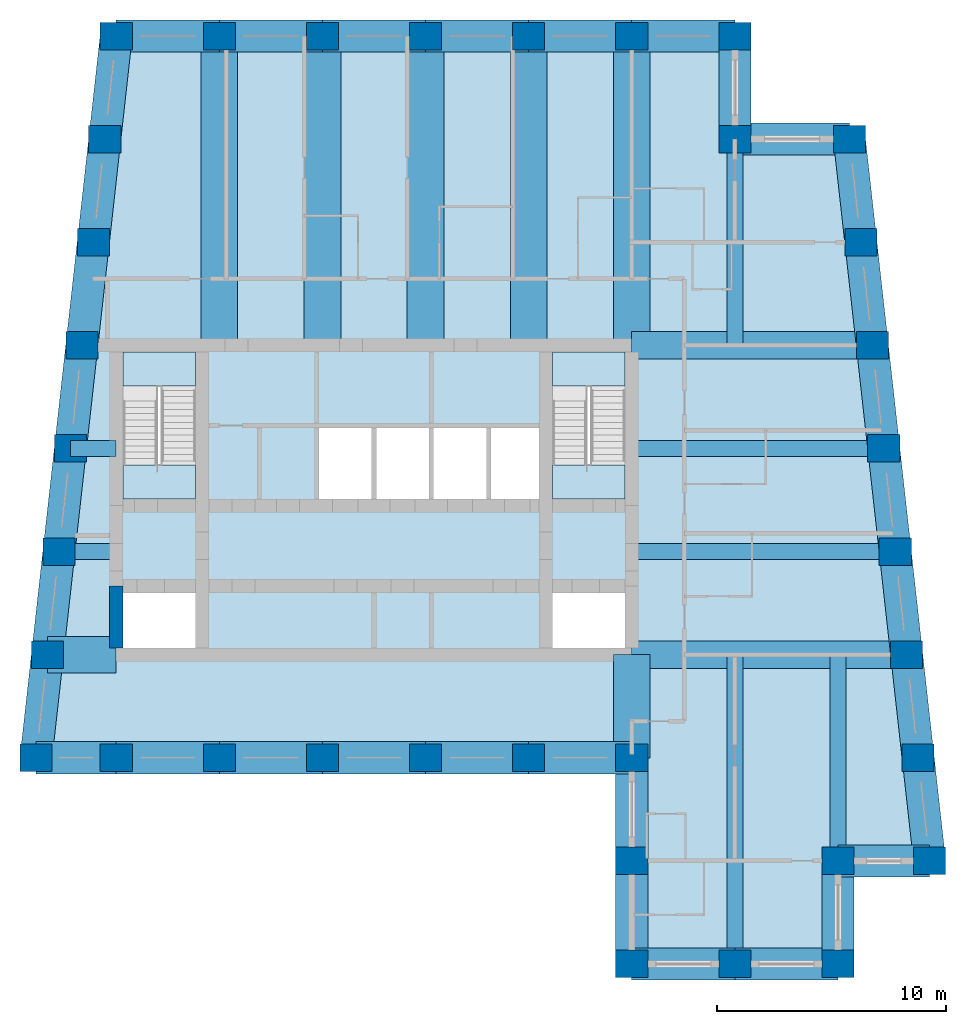
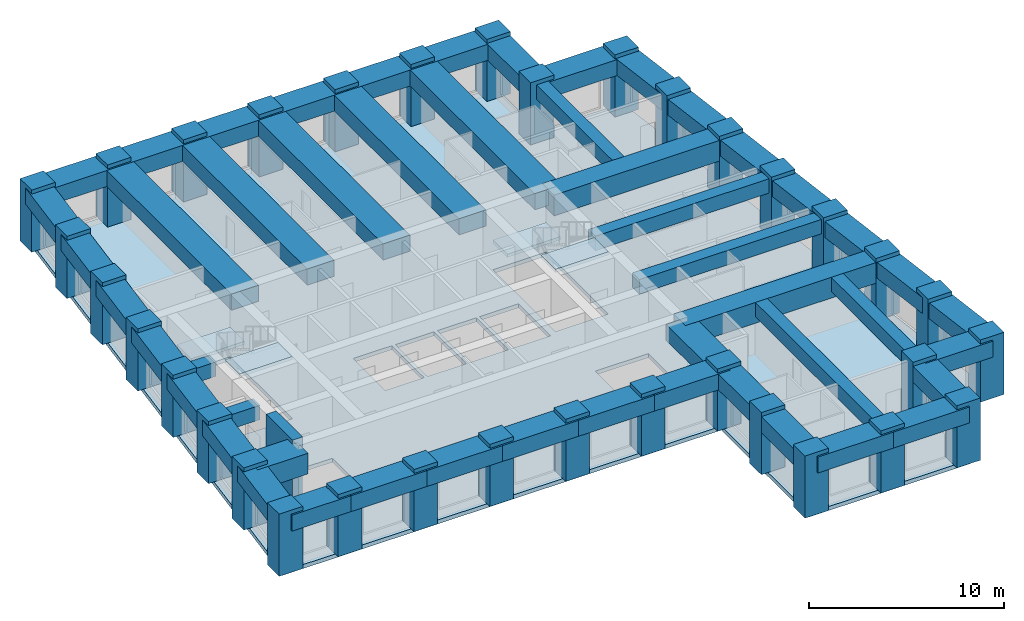
# One storey, part 1 of 7: 50 beams, 34 columns, 5 slabs, 1 wall, 2 elements without a shape of their own.
"""IFC4 building model written with IfcOpenShell, lengths in metres."""

from ifc_helpers import new_model, si_unit, direction, frame, frame_2d, origin, origin_2d, place, context, subcontext, project, spatial, polyline, rectangle, outline, extrude, material, layer, layer_set, material_profile, profile_set, type_object, element, aggregate, save


model = new_model("IFC4")

# Units and contexts
model_context = context("Model", 3, precision=1e-05, world=origin(), true_north=direction((0.0, 1.0)))
body_context = subcontext(model_context, "Body", "Model", "MODEL_VIEW")
ifc_project = project(units=[si_unit("LENGTHUNIT", "METRE"), si_unit("AREAUNIT", "SQUARE_METRE"), si_unit("VOLUMEUNIT", "CUBIC_METRE"), si_unit("PLANEANGLEUNIT", "RADIAN"), si_unit("MASSUNIT", "GRAM", prefix="KILO")], contexts=[model_context])

# Site, building, storey
site_placement = place(None, origin())
site = spatial("IfcSite", under=ifc_project, at=site_placement, CompositionType="ELEMENT")
building_placement = place(site_placement, origin())
building = spatial("IfcBuilding", under=site, at=building_placement, Name="Kilele Tower Hotel", CompositionType="ELEMENT")
storey_placement = place(building_placement, frame((0.0, 0.0, 254.60009765625)))
storey = spatial("IfcBuildingStorey", under=building, at=storey_placement, Name="L65", CompositionType="ELEMENT", Elevation=254.60009765625)

# Columns
ifc_material_1 = material(Name="Concrete C60/75", Category="concrete")
ifc_material_profile_1 = material_profile(ifc_material_1, rectangle(XDim=1.39990234375, YDim=1.199951171875, at=origin_2d()))
ifc_profile_set_1 = profile_set([ifc_material_profile_1], Name="Concrete C60/75")
column_type = type_object("IfcColumnType", Name="Tube column RC 1400x1200 C60/75", PredefinedType="COLUMN", material=ifc_profile_set_1)
for number, where, z_axis, x_axis, name in (
    (1, (10.0, 9.0, 0.0), (0.0, 0.0, 1.0), (1.0, 0.0, 0.0), "Column TC5 L65"),
    (2, (13.5, 9.0, 0.0), (0.0, 0.0, 1.0), (1.0, 0.0, 0.0), "Column TC5 L65"),
    (3, (18.0, 9.0, 0.0), (0.0, 0.0, 1.0), (1.0, 0.0, 0.0), "Column TC5 L65"),
    (4, (22.5, 9.0, 0.0), (0.0, 0.0, 1.0), (1.0, 0.0, 0.0), "Column TC5 L65"),
    (5, (27.0, 9.0, 0.0), (0.0, 0.0, 1.0), (1.0, 0.0, 0.0), "Column TC5 L65"),
    (6, (31.5, 9.0, 0.0), (0.0, 0.0, 1.0), (1.0, 0.0, 0.0), "Column TC5 L65"),
    (7, (36.0, 9.0, 0.0), (0.0, 0.0, 1.0), (1.0, 0.0, 0.0), "Column TC5 L65"),
    (8, (36.0, 4.5, 0.0), (0.0, 0.0, 1.0), (1.0, 0.0, 0.0), "Column TC5 L65"),
    (9, (36.0, 0.0, 0.0), (0.0, 0.0, 1.0), (1.0, 0.0, 0.0), "Column TC5 L65"),
    (10, (40.5, 0.0, 0.0), (0.0, 0.0, 1.0), (1.0, 0.0, 0.0), "Column TC5 L65"),
    (11, (45.0, 0.0, 0.0), (0.0, 0.0, 1.0), (1.0, 0.0, 0.0), "Column TC5 L65"),
    (12, (45.0, 4.5, 0.0), (0.0, 0.0, 1.0), (1.0, 0.0, 0.0), "Column TC5 L65"),
    (13, (49.0, 4.5, 0.0), (0.0, 0.0, 1.0), (1.0, 0.0, 0.0), "Column TC5 L65"),
    (14, (48.5, 9.0, 0.0), (0.0, 0.0, 1.0), (1.0, 0.0, 0.0), "Column TC5 L65"),
    (15, (48.0, 13.5, 0.0), (0.0, 0.0, 1.0), (1.0, 0.0, 0.0), "Column TC5 L65"),
    (16, (47.5, 18.0, 0.0), (0.0, 0.0, 1.0), (1.0, 0.0, 0.0), "Column TC5 L65"),
    (17, (47.0, 22.5, 0.0), (0.0, 0.0, 1.0), (1.0, 0.0, 0.0), "Column TC5 L65"),
    (18, (46.5, 27.0, 0.0), (0.0, 0.0, 1.0), (1.0, 0.0, 0.0), "Column TC5 L65"),
    (19, (46.0, 31.5, 0.0), (0.0, 0.0, 1.0), (1.0, 0.0, 0.0), "Column TC5 L65"),
    (20, (45.5, 36.0, 0.0), (0.0, 0.0, 1.0), (1.0, 0.0, 0.0), "Column TC5 L65"),
    (21, (40.5, 36.0, 0.0), (0.0, 0.0, 1.0), (1.0, 0.0, 0.0), "Column TC5 L65"),
    (22, (40.5, 40.5, 0.0), (0.0, 0.0, 1.0), (1.0, 0.0, 0.0), "Column TC5 L65"),
    (23, (36.0, 40.5, 0.0), (0.0, 0.0, 1.0), (1.0, 0.0, 0.0), "Column TC5 L65"),
    (24, (31.5, 40.5, 0.0), (0.0, 0.0, 1.0), (1.0, 0.0, 0.0), "Column TC5 L65"),
    (25, (27.0, 40.5, 0.0), (0.0, 0.0, 1.0), (1.0, 0.0, 0.0), "Column TC5 L65"),
    (26, (22.5, 40.5, 0.0), (0.0, 0.0, 1.0), (1.0, 0.0, 0.0), "Column TC5 L65"),
    (27, (18.0, 40.5, 0.0), (0.0, 0.0, 1.0), (1.0, 0.0, 0.0), "Column TC5 L65"),
    (28, (13.5, 40.5, 0.0), (0.0, 0.0, 1.0), (1.0, 0.0, 0.0), "Column TC5 L65"),
    (29, (13.0, 36.0, 0.0), (0.0, 0.0, 1.0), (1.0, 0.0, 0.0), "Column TC5 L65"),
    (30, (12.5, 31.5, 0.0), (0.0, 0.0, 1.0), (1.0, 0.0, 0.0), "Column TC5 L65"),
    (31, (12.0, 27.0, 0.0), (0.0, 0.0, 1.0), (1.0, 0.0, 0.0), "Column TC5 L65"),
    (32, (11.5, 22.5, 0.0), (0.0, 0.0, 1.0), (1.0, 0.0, 0.0), "Column TC5 L65"),
    (33, (11.0, 18.0, 0.0), (0.0, 0.0, 1.0), (1.0, 0.0, 0.0), "Column TC5 L65"),
    (34, (10.5, 13.5, 0.0), (0.0, 0.0, 1.0), (1.0, 0.0, 0.0), "Column TC5 L65"),
):
    element("IfcColumn", number, at=place(storey_placement, frame(where, z_axis=z_axis, x_axis=x_axis)), inside=storey, type_object=column_type, Name=name, PredefinedType="COLUMN", context=body_context, shape_type="SweptSolid", body=[
        extrude(rectangle(XDim=1.39990234375, YDim=1.199951171875, at=origin_2d()), origin(), (0.0, 0.0, 1.0), 3.89990234375),
    ])

# Beams
ifc_material_2 = material(Name="Concrete C60/75", Category="concrete")
ifc_material_profile_2 = material_profile(ifc_material_2, rectangle(XDim=1.60009765625, YDim=1.0, at=origin_2d()))
ifc_profile_set_2 = profile_set([ifc_material_profile_2], Name="Concrete C60/75")
beam_type_1 = type_object("IfcBeamType", Name="Beam RC 1600x1000 C60/75", PredefinedType="BEAM", material=ifc_profile_set_2)
for number, where, z_axis, x_axis, name in (
    (35, (36.0, 40.5, 3.14990234375), (0.0, -1.0, 0.0), (1.0, 0.0, 0.0), "Beam BC1 level L66"),
    (36, (31.5, 40.5, 3.14990234375), (0.0, -1.0, 0.0), (1.0, 0.0, 0.0), "Beam BC1 level L66"),
    (37, (27.0, 40.5, 3.14990234375), (0.0, -1.0, 0.0), (1.0, 0.0, 0.0), "Beam BC1 level L66"),
    (38, (22.5, 40.5, 3.14990234375), (0.0, -1.0, 0.0), (1.0, 0.0, 0.0), "Beam BC1 level L66"),
    (39, (18.0, 40.5, 3.14990234375), (0.0, -1.0, 0.0), (1.0, 0.0, 0.0), "Beam BC1 level L66"),
):
    element("IfcBeam", number, at=place(storey_placement, frame(where, z_axis=z_axis, x_axis=x_axis)), inside=storey, type_object=beam_type_1, Name=name, PredefinedType="BEAM", context=body_context, shape_type="SweptSolid", body=[
        extrude(rectangle(XDim=1.60009765625, YDim=1.0, at=origin_2d()), origin(), (0.0, 0.0, 1.0), 13.5),
    ])
ifc_material_3 = material(Name="Concrete C60/75", Category="concrete")
ifc_material_profile_3 = material_profile(ifc_material_3, rectangle(XDim=1.60009765625, YDim=1.0, at=origin_2d()))
ifc_profile_set_3 = profile_set([ifc_material_profile_3], Name="Concrete C60/75")
beam_type_2 = type_object("IfcBeamType", Name="Beam RC 1600x1000 C60/75 short span", PredefinedType="BEAM", material=ifc_profile_set_3)
beam_1_placement = place(storey_placement, frame((36.0, 9.0, 3.14990234375), z_axis=(0.0, 1.0, 0.0), x_axis=(-1.0, 0.0, 0.0)))
element("IfcBeam", 40, at=beam_1_placement, inside=storey, type_object=beam_type_2, Name="Beam BC2 level L66", PredefinedType="BEAM", context=body_context, shape_type="SweptSolid", body=[
    extrude(rectangle(XDim=1.60009765625, YDim=1.0, at=origin_2d()), origin(), (0.0, 0.0, 1.0), 4.5),
])
ifc_material_4 = material(Name="Concrete C60/75", Category="concrete")
ifc_material_profile_4 = material_profile(ifc_material_4, rectangle(XDim=0.699951171875, YDim=0.89990234375, at=origin_2d()))
ifc_profile_set_4 = profile_set([ifc_material_profile_4], Name="Concrete C60/75")
beam_type_3 = type_object("IfcBeamType", Name="Beam RC 700x900 C60/75", PredefinedType="BEAM", material=ifc_profile_set_4)
beam_2_placement = place(storey_placement, frame((40.5, 0.0, 3.199951171875), z_axis=(0.0, 1.0, 0.0), x_axis=(-1.0, 0.0, 0.0)))
element("IfcBeam", 41, at=beam_2_placement, inside=storey, type_object=beam_type_3, Name="Beam B1 level L66", PredefinedType="BEAM", context=body_context, shape_type="SweptSolid", body=[
    extrude(rectangle(XDim=0.699951171875, YDim=0.89990234375, at=origin_2d()), origin(), (0.0, 0.0, 1.0), 13.5),
])
ifc_material_5 = material(Name="Concrete C60/75", Category="concrete")
ifc_material_profile_5 = material_profile(ifc_material_5, rectangle(XDim=0.699951171875, YDim=0.89990234375, at=origin_2d()))
ifc_profile_set_5 = profile_set([ifc_material_profile_5], Name="Concrete C60/75")
beam_type_4 = type_object("IfcBeamType", Name="Beam RC 700x900 C60/75 mid span", PredefinedType="BEAM", material=ifc_profile_set_5)
beam_3_placement = place(storey_placement, frame((45.0, 4.5, 3.199951171875), z_axis=(0.0, 1.0, 0.0), x_axis=(-1.0, 0.0, 0.0)))
element("IfcBeam", 42, at=beam_3_placement, inside=storey, type_object=beam_type_4, Name="Beam B2 level L66", PredefinedType="BEAM", context=body_context, shape_type="SweptSolid", body=[
    extrude(rectangle(XDim=0.699951171875, YDim=0.89990234375, at=origin_2d()), origin(), (0.0, 0.0, 1.0), 9.0),
])
beam_4_placement = place(storey_placement, frame((47.5, 18.0, 3.199951171875), z_axis=(-1.0, 0.0, 0.0), x_axis=(0.0, -1.0, 0.0)))
element("IfcBeam", 43, at=beam_4_placement, inside=storey, type_object=beam_type_4, Name="Beam B2 level L66", PredefinedType="BEAM", context=body_context, shape_type="SweptSolid", body=[
    extrude(rectangle(XDim=0.699951171875, YDim=0.89990234375, at=origin_2d()), origin(), (0.0, 0.0, 1.0), 11.5),
])
beam_5_placement = place(storey_placement, frame((47.0, 22.5, 3.199951171875), z_axis=(-1.0, 0.0, 0.0), x_axis=(0.0, -1.0, 0.0)))
element("IfcBeam", 44, at=beam_5_placement, inside=storey, type_object=beam_type_4, Name="Beam B2 level L66", PredefinedType="BEAM", context=body_context, shape_type="SweptSolid", body=[
    extrude(rectangle(XDim=0.699951171875, YDim=0.89990234375, at=origin_2d()), origin(), (0.0, 0.0, 1.0), 11.0),
])
beam_6_placement = place(storey_placement, frame((40.5, 36.0, 3.199951171875), z_axis=(0.0, -1.0, 0.0), x_axis=(1.0, 0.0, 0.0)))
element("IfcBeam", 45, at=beam_6_placement, inside=storey, type_object=beam_type_4, Name="Beam B2 level L66", PredefinedType="BEAM", context=body_context, shape_type="SweptSolid", body=[
    extrude(rectangle(XDim=0.699951171875, YDim=0.89990234375, at=origin_2d()), origin(), (0.0, 0.0, 1.0), 9.0),
])
ifc_material_6 = material(Name="Concrete C60/75", Category="concrete")
ifc_material_profile_6 = material_profile(ifc_material_6, rectangle(XDim=0.699951171875, YDim=0.89990234375, at=origin_2d()))
ifc_profile_set_6 = profile_set([ifc_material_profile_6], Name="Concrete C60/75")
beam_type_5 = type_object("IfcBeamType", Name="Beam RC 700x900 C60/75 short span", PredefinedType="BEAM", material=ifc_profile_set_6)
beam_7_placement = place(storey_placement, frame((11.5, 22.5, 3.199951171875), z_axis=(1.0, 0.0, 0.0), x_axis=(0.0, 1.0, 0.0)))
element("IfcBeam", 46, at=beam_7_placement, inside=storey, type_object=beam_type_5, Name="Beam B3 level L66", PredefinedType="BEAM", context=body_context, shape_type="SweptSolid", body=[
    extrude(rectangle(XDim=0.699951171875, YDim=0.89990234375, at=origin_2d()), origin(), (0.0, 0.0, 1.0), 2.0),
])
beam_8_placement = place(storey_placement, frame((11.0, 18.0, 3.199951171875), z_axis=(1.0, 0.0, 0.0), x_axis=(0.0, 1.0, 0.0)))
element("IfcBeam", 47, at=beam_8_placement, inside=storey, type_object=beam_type_5, Name="Beam B3 level L66", PredefinedType="BEAM", context=body_context, shape_type="SweptSolid", body=[
    extrude(rectangle(XDim=0.699951171875, YDim=0.89990234375, at=origin_2d()), origin(), (0.0, 0.0, 1.0), 2.5),
])
ifc_material_7 = material(Name="Concrete C60/75", Category="concrete")
ifc_material_profile_7 = material_profile(ifc_material_7, rectangle(XDim=1.60009765625, YDim=1.300048828125, at=origin_2d()))
ifc_profile_set_7 = profile_set([ifc_material_profile_7], Name="Concrete C60/75")
beam_type_6 = type_object("IfcBeamType", Name="Coupling girder RC 1600x1300 C60/75", PredefinedType="BEAM", material=ifc_profile_set_7)
beam_9_placement = place(storey_placement, frame((10.5, 13.5, 3.0), z_axis=(1.0, 0.0, 0.0), x_axis=(0.0, 1.0, 0.0)))
element("IfcBeam", 48, at=beam_9_placement, inside=storey, type_object=beam_type_6, Name="Coupling girder G2 level L66", PredefinedType="BEAM", context=body_context, shape_type="SweptSolid", body=[
    extrude(rectangle(XDim=1.60009765625, YDim=1.300048828125, at=origin_2d()), origin(), (0.0, 0.0, 1.0), 3.0),
])
ifc_material_8 = material(Name="Concrete C60/75", Category="concrete")
ifc_material_profile_8 = material_profile(ifc_material_8, rectangle(XDim=1.199951171875, YDim=1.300048828125, at=origin_2d()))
ifc_profile_set_8 = profile_set([ifc_material_profile_8], Name="Concrete C60/75")
beam_type_7 = type_object("IfcBeamType", Name="Girder RC 1200x1300 C60/75", PredefinedType="BEAM", material=ifc_profile_set_8)
beam_10_placement = place(storey_placement, frame((48.0, 13.5, 3.0), z_axis=(-1.0, 0.0, 0.0), x_axis=(0.0, -1.0, 0.0)))
element("IfcBeam", 49, at=beam_10_placement, inside=storey, type_object=beam_type_7, Name="Girder G1 level L66", PredefinedType="BEAM", context=body_context, shape_type="SweptSolid", body=[
    extrude(rectangle(XDim=1.199951171875, YDim=1.300048828125, at=origin_2d()), origin(), (0.0, 0.0, 1.0), 12.0),
])
ifc_material_9 = material(Name="Concrete C60/75", Category="concrete")
ifc_material_profile_9 = material_profile(ifc_material_9, rectangle(XDim=1.199951171875, YDim=1.300048828125, at=origin_2d()))
ifc_profile_set_9 = profile_set([ifc_material_profile_9], Name="Concrete C60/75")
beam_type_8 = type_object("IfcBeamType", Name="Girder RC 1200x1300 C60/75 mid span", PredefinedType="BEAM", material=ifc_profile_set_9)
beam_11_placement = place(storey_placement, frame((46.5, 27.0, 3.0), z_axis=(-1.0, 0.0, 0.0), x_axis=(0.0, -1.0, 0.0)))
element("IfcBeam", 50, at=beam_11_placement, inside=storey, type_object=beam_type_8, Name="Girder G3 level L66", PredefinedType="BEAM", context=body_context, shape_type="SweptSolid", body=[
    extrude(rectangle(XDim=1.199951171875, YDim=1.300048828125, at=origin_2d()), origin(), (0.0, 0.0, 1.0), 10.5),
])
ifc_material_10 = material(Name="Concrete C60/75", Category="concrete")
ifc_material_profile_10 = material_profile(ifc_material_10, rectangle(XDim=1.39990234375, YDim=1.0, at=origin_2d()))
ifc_profile_set_10 = profile_set([ifc_material_profile_10], Name="Concrete C60/75")
beam_type_9 = type_object("IfcBeamType", Name="Spandrel RC 1400x1000 C60/75", PredefinedType="SPANDREL", material=ifc_profile_set_10)
beam_12_placement = place(storey_placement, frame((10.0, 9.0, 3.14990234375), z_axis=(1.0, 0.0, 0.0), x_axis=(0.0, 1.0, 0.0)))
element("IfcBeam", 51, at=beam_12_placement, inside=storey, type_object=beam_type_9, Name="Spandrel SP1 level L66", PredefinedType="SPANDREL", context=body_context, shape_type="SweptSolid", body=[
    extrude(rectangle(XDim=1.39990234375, YDim=1.0, at=origin_2d()), origin(), (0.0, 0.0, 1.0), 3.5),
])
for number, where, z_axis, x_axis, name in (
    (52, (13.5, 9.0, 3.14990234375), (1.0, 0.0, 0.0), (0.0, 1.0, 0.0), "Spandrel SP1 level L66"),
    (53, (18.0, 9.0, 3.14990234375), (1.0, 0.0, 0.0), (0.0, 1.0, 0.0), "Spandrel SP1 level L66"),
    (54, (22.5, 9.0, 3.14990234375), (1.0, 0.0, 0.0), (0.0, 1.0, 0.0), "Spandrel SP1 level L66"),
    (55, (27.0, 9.0, 3.14990234375), (1.0, 0.0, 0.0), (0.0, 1.0, 0.0), "Spandrel SP1 level L66"),
    (56, (31.5, 9.0, 3.14990234375), (1.0, 0.0, 0.0), (0.0, 1.0, 0.0), "Spandrel SP1 level L66"),
    (57, (36.0, 9.0, 3.14990234375), (0.0, -1.0, 0.0), (1.0, 0.0, 0.0), "Spandrel SP1 level L66"),
    (58, (36.0, 4.5, 3.14990234375), (0.0, -1.0, 0.0), (1.0, 0.0, 0.0), "Spandrel SP1 level L66"),
    (59, (36.0, 0.0, 3.14990234375), (1.0, 0.0, 0.0), (0.0, 1.0, 0.0), "Spandrel SP1 level L66"),
    (60, (40.5, 0.0, 3.14990234375), (1.0, 0.0, 0.0), (0.0, 1.0, 0.0), "Spandrel SP1 level L66"),
    (61, (45.0, 0.0, 3.14990234375), (0.0, 1.0, 0.0), (-1.0, 0.0, 0.0), "Spandrel SP1 level L66"),
):
    element("IfcBeam", number, at=place(storey_placement, frame(where, z_axis=z_axis, x_axis=x_axis)), inside=storey, type_object=beam_type_9, Name=name, PredefinedType="SPANDREL", context=body_context, shape_type="SweptSolid", body=[
        extrude(rectangle(XDim=1.39990234375, YDim=1.0, at=origin_2d()), origin(), (0.0, 0.0, 1.0), 4.5),
    ])
beam_13_placement = place(storey_placement, frame((45.0, 4.5, 3.14990234375), z_axis=(1.0, 0.0, 0.0), x_axis=(0.0, 1.0, 0.0)))
element("IfcBeam", 62, at=beam_13_placement, inside=storey, type_object=beam_type_9, Name="Spandrel SP1 level L66", PredefinedType="SPANDREL", context=body_context, shape_type="SweptSolid", body=[
    extrude(rectangle(XDim=1.39990234375, YDim=1.0, at=origin_2d()), origin(), (0.0, 0.0, 1.0), 4.0),
])
for number, where, z_axis, x_axis, name in (
    (63, (49.0, 4.5, 3.14990234375), (-0.110431526075, 0.993883734674, 0.0), (-0.993883734674, -0.110431526075, 0.0), "Spandrel SP1 level L66"),
    (64, (48.5, 9.0, 3.14990234375), (-0.110431526075, 0.993883734674, 0.0), (-0.993883734674, -0.110431526075, 0.0), "Spandrel SP1 level L66"),
    (65, (48.0, 13.5, 3.14990234375), (-0.110431526075, 0.993883734674, 0.0), (-0.993883734674, -0.110431526075, 0.0), "Spandrel SP1 level L66"),
    (66, (47.5, 18.0, 3.14990234375), (-0.110431526075, 0.993883734674, 0.0), (-0.993883734674, -0.110431526075, 0.0), "Spandrel SP1 level L66"),
    (67, (47.0, 22.5, 3.14990234375), (-0.110431526075, 0.993883734674, 0.0), (-0.993883734674, -0.110431526075, 0.0), "Spandrel SP1 level L66"),
    (68, (46.5, 27.0, 3.14990234375), (-0.110431526075, 0.993883734674, 0.0), (-0.993883734674, -0.110431526075, 0.0), "Spandrel SP1 level L66"),
    (69, (46.0, 31.5, 3.14990234375), (-0.110431526075, 0.993883734674, 0.0), (-0.993883734674, -0.110431526075, 0.0), "Spandrel SP1 level L66"),
):
    element("IfcBeam", number, at=place(storey_placement, frame(where, z_axis=z_axis, x_axis=x_axis)), inside=storey, type_object=beam_type_9, Name=name, PredefinedType="SPANDREL", context=body_context, shape_type="SweptSolid", body=[
        extrude(rectangle(XDim=1.39990234375, YDim=1.0, at=origin_2d()), origin(), (0.0, 0.0, 1.0), 4.527587890625),
    ])
beam_14_placement = place(storey_placement, frame((45.5, 36.0, 3.14990234375), z_axis=(-1.0, 0.0, 0.0), x_axis=(0.0, -1.0, 0.0)))
element("IfcBeam", 70, at=beam_14_placement, inside=storey, type_object=beam_type_9, Name="Spandrel SP1 level L66", PredefinedType="SPANDREL", context=body_context, shape_type="SweptSolid", body=[
    extrude(rectangle(XDim=1.39990234375, YDim=1.0, at=origin_2d()), origin(), (0.0, 0.0, 1.0), 5.0),
])
for number, where, z_axis, x_axis, name in (
    (71, (40.5, 36.0, 3.14990234375), (0.0, 1.0, 0.0), (-1.0, 0.0, 0.0), "Spandrel SP1 level L66"),
    (72, (40.5, 40.5, 3.14990234375), (-1.0, 0.0, 0.0), (0.0, -1.0, 0.0), "Spandrel SP1 level L66"),
    (73, (36.0, 40.5, 3.14990234375), (-1.0, 0.0, 0.0), (0.0, -1.0, 0.0), "Spandrel SP1 level L66"),
    (74, (31.5, 40.5, 3.14990234375), (-1.0, 0.0, 0.0), (0.0, -1.0, 0.0), "Spandrel SP1 level L66"),
    (75, (27.0, 40.5, 3.14990234375), (-1.0, 0.0, 0.0), (0.0, -1.0, 0.0), "Spandrel SP1 level L66"),
    (76, (22.5, 40.5, 3.14990234375), (-1.0, 0.0, 0.0), (0.0, -1.0, 0.0), "Spandrel SP1 level L66"),
    (77, (18.0, 40.5, 3.14990234375), (-1.0, 0.0, 0.0), (0.0, -1.0, 0.0), "Spandrel SP1 level L66"),
):
    element("IfcBeam", number, at=place(storey_placement, frame(where, z_axis=z_axis, x_axis=x_axis)), inside=storey, type_object=beam_type_9, Name=name, PredefinedType="SPANDREL", context=body_context, shape_type="SweptSolid", body=[
        extrude(rectangle(XDim=1.39990234375, YDim=1.0, at=origin_2d()), origin(), (0.0, 0.0, 1.0), 4.5),
    ])
for number, where, z_axis, x_axis, name in (
    (78, (13.5, 40.5, 3.14990234375), (-0.110431526075, -0.993883734674, 0.0), (0.993883734674, -0.110431526075, 0.0), "Spandrel SP1 level L66"),
    (79, (13.0, 36.0, 3.14990234375), (-0.110431526075, -0.993883734674, 0.0), (0.993883734674, -0.110431526075, 0.0), "Spandrel SP1 level L66"),
    (80, (12.5, 31.5, 3.14990234375), (-0.110431526075, -0.993883734674, 0.0), (0.993883734674, -0.110431526075, 0.0), "Spandrel SP1 level L66"),
    (81, (12.0, 27.0, 3.14990234375), (-0.110431526075, -0.993883734674, 0.0), (0.993883734674, -0.110431526075, 0.0), "Spandrel SP1 level L66"),
    (82, (11.5, 22.5, 3.14990234375), (-0.110431526075, -0.993883734674, 0.0), (0.993883734674, -0.110431526075, 0.0), "Spandrel SP1 level L66"),
    (83, (11.0, 18.0, 3.14990234375), (-0.110431526075, -0.993883734674, 0.0), (0.993883734674, -0.110431526075, 0.0), "Spandrel SP1 level L66"),
    (84, (10.5, 13.5, 3.14990234375), (-0.110431526075, -0.993883734674, 0.0), (0.993883734674, -0.110431526075, 0.0), "Spandrel SP1 level L66"),
):
    element("IfcBeam", number, at=place(storey_placement, frame(where, z_axis=z_axis, x_axis=x_axis)), inside=storey, type_object=beam_type_9, Name=name, PredefinedType="SPANDREL", context=body_context, shape_type="SweptSolid", body=[
        extrude(rectangle(XDim=1.39990234375, YDim=1.0, at=origin_2d()), origin(), (0.0, 0.0, 1.0), 4.527587890625),
    ])

# Slab
ifc_material_11 = material(Name="Concrete C60/75", Category="concrete")
ifc_layer_1 = layer(ifc_material_11, 0.25)
ifc_layer_set_1 = layer_set([ifc_layer_1], Name="Concrete C60/75")
slab_type_1 = type_object("IfcSlabType", Name="Floor slab 250", PredefinedType="FLOOR", material=ifc_layer_set_1)
slab_1_placement = place(storey_placement, frame((0.0, 0.0, -0.25)))
element("IfcSlab", 85, at=slab_1_placement, inside=storey, type_object=slab_type_1, Name="Floor slab L65", PredefinedType="FLOOR", context=body_context, shape_type="SweptSolid", body=[
    extrude(outline(polyline([(40.800048828125, 40.800048828125), (40.800048828125, 36.300048828125), (45.7685546875, 36.300048828125), (49.335205078125, 4.199951171875), (45.300048828125, 4.199951171875), (45.300048828125, -0.300048828125), (35.699951171875, -0.300048828125), (35.699951171875, 8.699951171875), (9.664794921875, 8.699951171875), (13.2314453125, 40.800048828125), (40.800048828125, 40.800048828125)]), holes=[polyline([(16.949951171875, 16.199951171875), (13.800048828125, 16.199951171875), (13.800048828125, 13.800048828125), (16.949951171875, 13.800048828125), (16.949951171875, 16.199951171875)]), polyline([(35.699951171875, 16.199951171875), (32.550048828125, 16.199951171875), (32.550048828125, 13.800048828125), (35.699951171875, 13.800048828125), (35.699951171875, 16.199951171875)]), polyline([(24.64990234375, 23.39990234375), (22.35009765625, 23.39990234375), (22.35009765625, 20.10009765625), (24.64990234375, 20.10009765625), (24.64990234375, 23.39990234375)]), polyline([(27.14990234375, 23.39990234375), (24.85009765625, 23.39990234375), (24.85009765625, 20.10009765625), (27.14990234375, 20.10009765625), (27.14990234375, 23.39990234375)]), polyline([(29.64990234375, 23.39990234375), (27.35009765625, 23.39990234375), (27.35009765625, 20.10009765625), (29.64990234375, 20.10009765625), (29.64990234375, 23.39990234375)]), polyline([(32.14990234375, 23.39990234375), (29.85009765625, 23.39990234375), (29.85009765625, 20.10009765625), (32.14990234375, 20.10009765625), (32.14990234375, 23.39990234375)]), polyline([(16.949951171875, 26.699951171875), (13.800048828125, 26.699951171875), (13.800048828125, 20.300048828125), (16.949951171875, 20.300048828125), (16.949951171875, 26.699951171875)]), polyline([(35.699951171875, 26.699951171875), (32.550048828125, 26.699951171875), (32.550048828125, 20.300048828125), (35.699951171875, 20.300048828125), (35.699951171875, 26.699951171875)])]), origin(), (0.0, 0.0, 1.0), 0.25),
])

# Stair, slabs
ifc_material_12 = material(Name="Precast concrete C40/50", Category="concrete")
stair_type = type_object("IfcStairType", Name="Stair 1475 x 3900", PredefinedType="HALF_TURN_STAIR", material=ifc_material_12)
stair_1_placement = place(storey_placement, origin())
stair_1 = element("IfcStair", 86, at=stair_1_placement, inside=storey, type_object=stair_type, Name="Stair 1 L65", PredefinedType="HALF_TURN_STAIR")
ifc_material_13 = material(Name="Precast concrete C40/50", Category="concrete")
ifc_layer_2 = layer(ifc_material_13, 0.199951171875)
ifc_layer_set_2 = layer_set([ifc_layer_2], Name="Precast concrete C40/50")
slab_type_2 = type_object("IfcSlabType", Name="Stair landing 200", PredefinedType="LANDING", material=ifc_layer_set_2)
slab_2_placement = place(storey_placement, frame((0.0, 0.0, 1.6650390625)))
slab_2 = element("IfcSlab", 87, at=slab_2_placement, type_object=slab_type_2, Name="ST1 landing 1", PredefinedType="LANDING", context=body_context, shape_type="SweptSolid", body=[
    extrude(outline(polyline([(13.800048828125, 25.22509765625), (16.949951171875, 25.22509765625), (16.949951171875, 26.699951171875), (13.800048828125, 26.699951171875), (13.800048828125, 25.22509765625)])), origin(), (0.0, 0.0, 1.0), 0.199951171875),
])
slab_3_placement = place(storey_placement, frame((0.0, 0.0, 3.699951171875)))
slab_3 = element("IfcSlab", 88, at=slab_3_placement, type_object=slab_type_2, Name="ST1 landing 2", PredefinedType="LANDING", context=body_context, shape_type="SweptSolid", body=[
    extrude(outline(polyline([(13.800048828125, 20.300048828125), (16.949951171875, 20.300048828125), (16.949951171875, 21.77490234375), (13.800048828125, 21.77490234375), (13.800048828125, 20.300048828125)])), origin(), (0.0, 0.0, 1.0), 0.199951171875),
])
aggregate(stair_1, [slab_2, slab_3])

stair_2_placement = place(storey_placement, origin())
stair_2 = element("IfcStair", 89, at=stair_2_placement, inside=storey, type_object=stair_type, Name="Stair 2 L65", PredefinedType="HALF_TURN_STAIR")
slab_4_placement = place(storey_placement, frame((0.0, 0.0, 1.6650390625)))
slab_4 = element("IfcSlab", 90, at=slab_4_placement, type_object=slab_type_2, Name="ST2 landing 1", PredefinedType="LANDING", context=body_context, shape_type="SweptSolid", body=[
    extrude(outline(polyline([(32.550048828125, 25.22509765625), (35.699951171875, 25.22509765625), (35.699951171875, 26.699951171875), (32.550048828125, 26.699951171875), (32.550048828125, 25.22509765625)])), origin(), (0.0, 0.0, 1.0), 0.199951171875),
])
slab_5_placement = place(storey_placement, frame((0.0, 0.0, 3.699951171875)))
slab_5 = element("IfcSlab", 91, at=slab_5_placement, type_object=slab_type_2, Name="ST2 landing 2", PredefinedType="LANDING", context=body_context, shape_type="SweptSolid", body=[
    extrude(outline(polyline([(32.550048828125, 20.300048828125), (35.699951171875, 20.300048828125), (35.699951171875, 21.77490234375), (32.550048828125, 21.77490234375), (32.550048828125, 20.300048828125)])), origin(), (0.0, 0.0, 1.0), 0.199951171875),
])
aggregate(stair_2, [slab_4, slab_5])

# Wall
ifc_material_14 = material(Name="Concrete C60/75", Category="concrete")
ifc_layer_3 = layer(ifc_material_14, 0.60009765625)
ifc_layer_set_3 = layer_set([ifc_layer_3], Name="Concrete C60/75")
wall_type = type_object("IfcWallType", Name="Core wall 600 C60/75", PredefinedType="SHEAR", material=ifc_layer_set_3)
wall_placement = place(storey_placement, frame((13.5, 16.5, 0.0), z_axis=(0.0, 0.0, 1.0), x_axis=(0.0, -1.0, 0.0)))
element("IfcWall", 92, at=wall_placement, inside=storey, type_object=wall_type, Name="Core wall W3 L65", PredefinedType="SHEAR", context=body_context, shape_type="SweptSolid", body=[
    extrude(rectangle(XDim=2.699951171875, YDim=0.60009765625, at=frame_2d((1.35009765625, 0.0))), origin(), (0.0, 0.0, 1.0), 3.89990234375),
])

save(model, "model.ifc")
